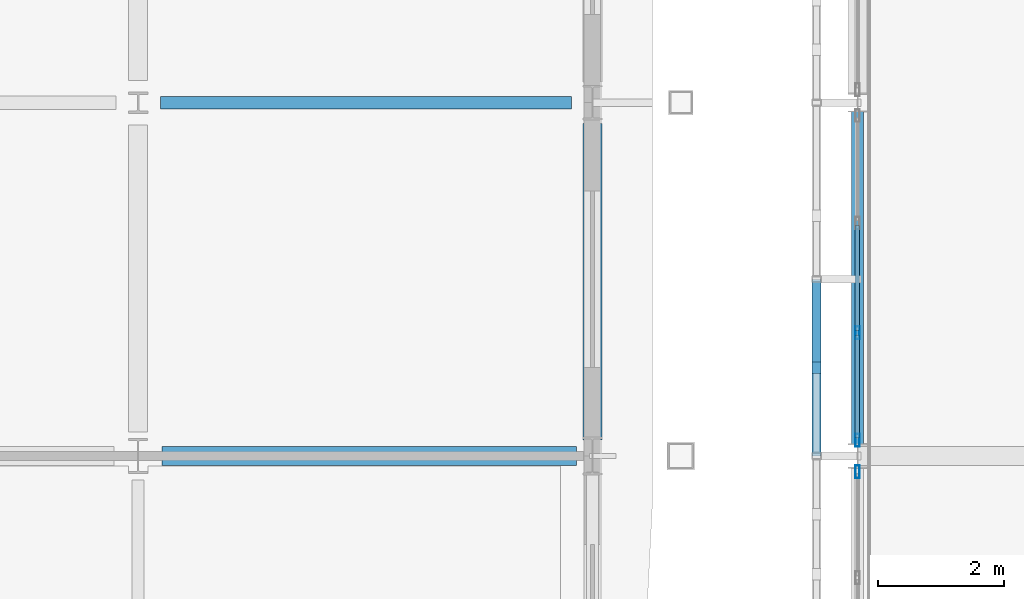
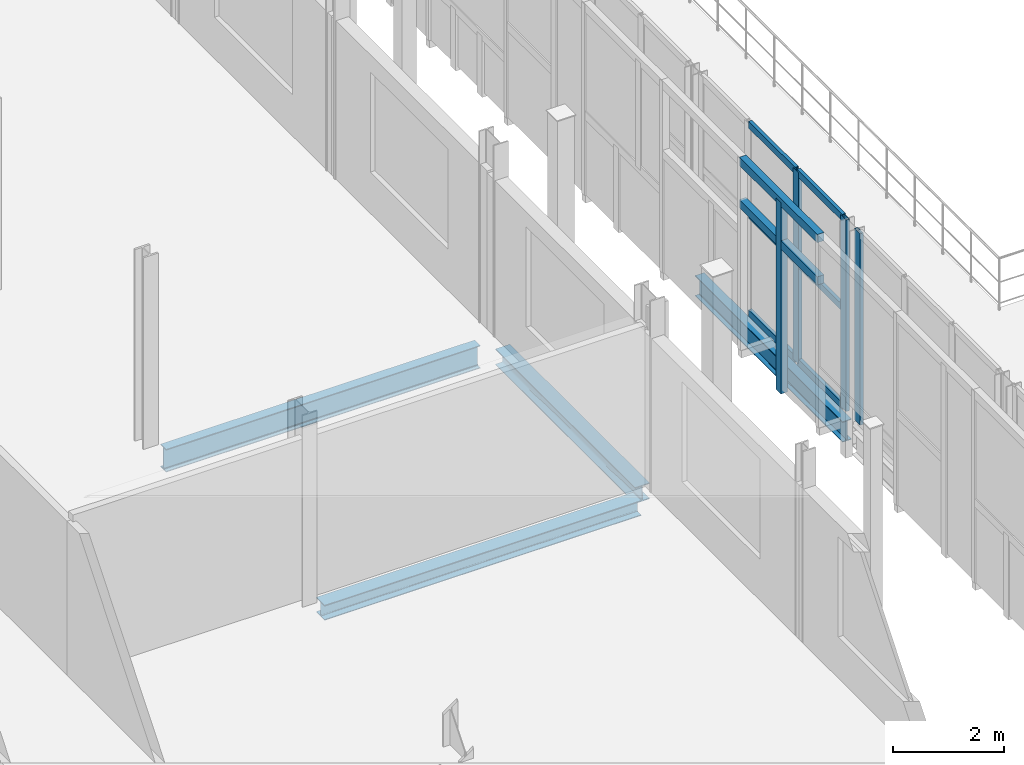
# One storey, part 36 of 138: 12 members, 4 beams, 2 elements without a shape of their own.
"""IFC4 building model written with IfcOpenShell, lengths in metres."""

from ifc_helpers import new_model, si_unit, direction, frame, origin, origin_2d, place, context, subcontext, project, spatial, rectangle, hollow_rectangle, i_section, extrude, material, layer, layer_set, material_profile, profile_set, type_object, element, aggregate, save


model = new_model("IFC4")

# Units and contexts
model_context = context("Model", 3, precision=1e-05, world=origin(), true_north=direction((0.0, 1.0)))
body_context = subcontext(model_context, "Body", "Model", "MODEL_VIEW")
ifc_project = project(units=[si_unit("LENGTHUNIT", "METRE"), si_unit("AREAUNIT", "SQUARE_METRE"), si_unit("VOLUMEUNIT", "CUBIC_METRE"), si_unit("PLANEANGLEUNIT", "RADIAN"), si_unit("MASSUNIT", "GRAM", prefix="KILO")], contexts=[model_context])

# Site, building, storey
site_placement = place(None, origin())
site = spatial("IfcSite", under=ifc_project, at=site_placement, CompositionType="ELEMENT")
building_placement = place(site_placement, origin())
building = spatial("IfcBuilding", under=site, at=building_placement, Name="Vinh Khe Railworks Police Headquarters", CompositionType="ELEMENT")
storey_placement = place(building_placement, frame((0.0, 0.0, 9.0)))
storey = spatial("IfcBuildingStorey", under=building, at=storey_placement, Name="L02", CompositionType="ELEMENT", Elevation=9.0)

# Members
ifc_material_1 = material(Name="Salvaged ironwood timber", Category="wood")
ifc_material_profile_1 = material_profile(ifc_material_1, rectangle(XDim=0.139892578125, YDim=0.179931640625, at=origin_2d()), Name="TIMBER 140x180")
ifc_profile_set_1 = profile_set([ifc_material_profile_1], Name="Salvaged ironwood timber")
member_type_1 = type_object("IfcMemberType", Name="MEM-QUILT-STILE", PredefinedType="CHORD", material=ifc_profile_set_1)
for number, where, z_axis, x_axis, name in (
    (1, (25.75, 42.0, 4.1201171875), (0.0, 1.0, 0.0), (-1.0, 0.0, 0.0), "Salvaged Timber Quilt Transom W-L02-06-TOP"),
    (2, (25.75, 42.0, 3.19189453125), (0.0, 1.0, 0.0), (-1.0, 0.0, 0.0), "Salvaged Timber Quilt Transom W-L02-06-M1"),
):
    element("IfcMember", number, at=place(storey_placement, frame(where, z_axis=z_axis, x_axis=x_axis)), inside=storey, type_object=member_type_1, Name=name, PredefinedType="CHORD", context=body_context, shape_type="SweptSolid", body=[
        extrude(rectangle(XDim=0.139892578125, YDim=0.179931640625, at=origin_2d()), origin(), (0.0, 0.0, 1.0), 2.800048828125),
    ])
member_1_placement = place(storey_placement, frame((25.75, 43.39990234375, -0.080078125), z_axis=(0.0, 0.0, 1.0), x_axis=(1.0, 0.0, 0.0)))
element("IfcMember", 3, at=member_1_placement, inside=storey, type_object=member_type_1, Name="Salvaged Timber Quilt Stile W-L02-06-V1", PredefinedType="POST", context=body_context, shape_type="SweptSolid", body=[
    extrude(rectangle(XDim=0.139892578125, YDim=0.179931640625, at=origin_2d()), origin(), (0.0, 0.0, 1.0), 4.2001953125),
])

# Curtain wall, member
ifc_material_2 = material(Name="Anodised aluminium and low-iron glass", Category="aluminium")
ifc_layer = layer(ifc_material_2, 0.179931640625)
ifc_layer_set = layer_set([ifc_layer], Name="Anodised aluminium and low-iron glass")
curtain_wall_type = type_object("IfcCurtainWallType", Name="CW-CUBE-UNIT", PredefinedType="USERDEFINED", material=ifc_layer_set)
curtain_wall_1_placement = place(storey_placement, origin())
curtain_wall_1 = element("IfcCurtainWall", 4, at=curtain_wall_1_placement, inside=storey, type_object=curtain_wall_type, Name="Entrance Hall Curtain Wall L02 W-3", ObjectType="UNITISED GLAZING", PredefinedType="USERDEFINED")
ifc_material_3 = material(Name="Anodised aluminium 6063-T6", Category="aluminium")
ifc_material_profile_2 = material_profile(ifc_material_3, hollow_rectangle(XDim=0.070068359375, YDim=0.199951171875, WallThickness=0.0048828125, at=origin_2d()), Name="CW-M 70x200x5")
ifc_profile_set_2 = profile_set([ifc_material_profile_2], Name="Anodised aluminium 6063-T6")
member_type_2 = type_object("IfcMemberType", Name="MULL-CWM-03", PredefinedType="MULLION", material=ifc_profile_set_2)
member_2_placement = place(storey_placement, frame((26.39990234375, 41.75, 0.0), z_axis=(0.0, 0.0, 1.0), x_axis=(-1.0, 0.0, 0.0)))
member_2 = element("IfcMember", 5, at=member_2_placement, type_object=member_type_2, Name="CW-01 mullion 4", PredefinedType="MULLION", context=body_context, shape_type="SweptSolid", body=[
    extrude(hollow_rectangle(XDim=0.070068359375, YDim=0.199951171875, WallThickness=0.0048828125, at=origin_2d()), origin(), (0.0, 0.0, 1.0), 4.199951171875),
])
aggregate(curtain_wall_1, [member_2])

# Curtain wall, members
curtain_wall_2_placement = place(storey_placement, origin())
curtain_wall_2 = element("IfcCurtainWall", 6, at=curtain_wall_2_placement, inside=storey, type_object=curtain_wall_type, Name="Entrance Hall Curtain Wall L02 W-4", ObjectType="UNITISED GLAZING", PredefinedType="USERDEFINED")
member_3_placement = place(storey_placement, frame((26.39990234375, 42.25, 0.0), z_axis=(0.0, 0.0, 1.0), x_axis=(-1.0, 0.0, 0.0)))
member_3 = element("IfcMember", 7, at=member_3_placement, type_object=member_type_2, Name="CW-01 mullion 1", PredefinedType="MULLION", context=body_context, shape_type="SweptSolid", body=[
    extrude(hollow_rectangle(XDim=0.070068359375, YDim=0.199951171875, WallThickness=0.0048828125, at=origin_2d()), origin(), (0.0, 0.0, 1.0), 4.199951171875),
])
member_4_placement = place(storey_placement, frame((26.39990234375, 43.953369140625, 0.0), z_axis=(0.0, 0.0, 1.0), x_axis=(-1.0, 0.0, 0.0)))
member_4 = element("IfcMember", 8, at=member_4_placement, type_object=member_type_2, Name="CW-01 mullion 2", PredefinedType="MULLION", context=body_context, shape_type="SweptSolid", body=[
    extrude(hollow_rectangle(XDim=0.070068359375, YDim=0.199951171875, WallThickness=0.0048828125, at=origin_2d()), origin(), (0.0, 0.0, 1.0), 4.199951171875),
])

# Beams
ifc_material_4 = material(Name="Steel S355JR", Category="steel")
ifc_material_profile_3 = material_profile(ifc_material_4, i_section(OverallWidth=0.300048828125, OverallDepth=0.330078125, WebThickness=0.009521484375, FlangeThickness=0.0166015625, FilletRadius=0.027099609375, at=origin_2d()), Name="HEA 340")
ifc_profile_set_3 = profile_set([ifc_material_profile_3], Name="Steel S355JR")
beam_type_1 = type_object("IfcBeamType", Name="Steel Girder HEA 340", PredefinedType="BEAM", material=ifc_profile_set_3)
beam_1_placement = place(storey_placement, frame((15.3798828125, 42.0, -0.385009765625), z_axis=(1.0, 0.0, 0.0), x_axis=(0.0, 1.0, 0.0)))
element("IfcBeam", 9, at=beam_1_placement, inside=storey, type_object=beam_type_1, Name="Girder BM-L02-EW-SB-16-0776", PredefinedType="BEAM", context=body_context, shape_type="SweptSolid", body=[
    extrude(i_section(OverallWidth=0.300048828125, OverallDepth=0.330078125, WebThickness=0.009521484375, FlangeThickness=0.0166015625, FilletRadius=0.027099609375, at=origin_2d()), origin(), (0.0, 0.0, 1.0), 6.565185546875),
])
ifc_material_profile_4 = material_profile(ifc_material_4, i_section(OverallWidth=0.300048828125, OverallDepth=0.35009765625, WebThickness=0.010009765625, FlangeThickness=0.017578125, FilletRadius=0.027099609375, at=origin_2d()), Name="HEA 360")
ifc_profile_set_4 = profile_set([ifc_material_profile_4], Name="Steel S355JR")
beam_type_2 = type_object("IfcBeamType", Name="Steel Girder HEA 360", PredefinedType="BEAM", material=ifc_profile_set_4)
beam_2_placement = place(storey_placement, frame((22.199951171875, 42.2548828125, -0.39501953125), z_axis=(0.0, 1.0, 0.0), x_axis=(-1.0, 0.0, 0.0)))
element("IfcBeam", 10, at=beam_2_placement, inside=storey, type_object=beam_type_2, Name="Girder BM-L02-NS-SB-15-0931", PredefinedType="BEAM", context=body_context, shape_type="SweptSolid", body=[
    extrude(i_section(OverallWidth=0.300048828125, OverallDepth=0.35009765625, WebThickness=0.010009765625, FlangeThickness=0.017578125, FilletRadius=0.027099609375, at=origin_2d()), origin(), (0.0, 0.0, 1.0), 5.01513671875),
])
ifc_material_profile_5 = material_profile(ifc_material_4, i_section(OverallWidth=0.18994140625, OverallDepth=0.449951171875, WebThickness=0.009521484375, FlangeThickness=0.0146484375, FilletRadius=0.02099609375, at=origin_2d()), Name="IPE 450")
ifc_profile_set_5 = profile_set([ifc_material_profile_5], Name="Steel S355JR")
beam_type_3 = type_object("IfcBeamType", Name="Steel Girder IPE 450", PredefinedType="BEAM", material=ifc_profile_set_5)
beam_3_placement = place(storey_placement, frame((26.39990234375, 42.175048828125, -0.445068359375), z_axis=(0.0, 1.0, 0.0), x_axis=(-1.0, 0.0, 0.0)))
element("IfcBeam", 11, at=beam_3_placement, inside=storey, type_object=beam_type_3, Name="Girder BM-L02-NS-SB-20-0948", PredefinedType="BEAM", context=body_context, shape_type="SweptSolid", body=[
    extrude(i_section(OverallWidth=0.18994140625, OverallDepth=0.449951171875, WebThickness=0.009521484375, FlangeThickness=0.0146484375, FilletRadius=0.02099609375, at=origin_2d()), origin(), (0.0, 0.0, 1.0), 5.294921875),
])
ifc_material_profile_6 = material_profile(ifc_material_4, i_section(OverallWidth=0.199951171875, OverallDepth=0.5, WebThickness=0.01025390625, FlangeThickness=0.01611328125, FilletRadius=0.02099609375, at=origin_2d()), Name="IPE 500")
ifc_profile_set_6 = profile_set([ifc_material_profile_6], Name="Steel S355JR")
beam_type_4 = type_object("IfcBeamType", Name="Steel Girder IPE 500", PredefinedType="BEAM", material=ifc_profile_set_6)
beam_4_placement = place(storey_placement, frame((15.35498046875, 47.60009765625, -0.469970703125), z_axis=(1.0, 0.0, 0.0), x_axis=(0.0, 1.0, 0.0)))
element("IfcBeam", 12, at=beam_4_placement, inside=storey, type_object=beam_type_4, Name="Girder BM-L02-EW-SB-19-0779", PredefinedType="BEAM", context=body_context, shape_type="SweptSolid", body=[
    extrude(i_section(OverallWidth=0.199951171875, OverallDepth=0.5, WebThickness=0.01025390625, FlangeThickness=0.01611328125, FilletRadius=0.02099609375, at=origin_2d()), origin(), (0.0, 0.0, 1.0), 6.51513671875),
])

# Member
ifc_material_profile_7 = material_profile(ifc_material_3, hollow_rectangle(XDim=0.070068359375, YDim=0.14990234375, WallThickness=0.0048828125, at=origin_2d()), Name="CW-T 70x150x5")
ifc_profile_set_7 = profile_set([ifc_material_profile_7], Name="Anodised aluminium 6063-T6")
member_type_3 = type_object("IfcMemberType", Name="TRAN-CWT-03", PredefinedType="USERDEFINED", material=ifc_profile_set_7)
member_5_placement = place(storey_placement, frame((26.39990234375, 42.284912109375, 0.034912109375), z_axis=(0.0, 1.0, 0.0), x_axis=(-1.0, 0.0, 0.0)))
member_5 = element("IfcMember", 13, at=member_5_placement, type_object=member_type_3, Name="CW-01 transom 1.1", ObjectType="TRANSOM", PredefinedType="USERDEFINED", context=body_context, shape_type="SweptSolid", body=[
    extrude(hollow_rectangle(XDim=0.070068359375, YDim=0.14990234375, WallThickness=0.0048828125, at=origin_2d()), origin(), (0.0, 0.0, 1.0), 1.63330078125),
])

member_6_placement = place(storey_placement, frame((26.39990234375, 42.284912109375, 2.18408203125), z_axis=(0.0, 1.0, 0.0), x_axis=(-1.0, 0.0, 0.0)))
member_6 = element("IfcMember", 14, at=member_6_placement, type_object=member_type_3, Name="CW-01 transom 1.2", ObjectType="TRANSOM", PredefinedType="USERDEFINED", context=body_context, shape_type="SweptSolid", body=[
    extrude(hollow_rectangle(XDim=0.070068359375, YDim=0.14990234375, WallThickness=0.0048828125, at=origin_2d()), origin(), (0.0, 0.0, 1.0), 1.63330078125),
])

member_7_placement = place(storey_placement, frame((26.39990234375, 42.284912109375, 4.1650390625), z_axis=(0.0, 1.0, 0.0), x_axis=(-1.0, 0.0, 0.0)))
member_7 = element("IfcMember", 15, at=member_7_placement, type_object=member_type_3, Name="CW-01 transom 1.3", ObjectType="TRANSOM", PredefinedType="USERDEFINED", context=body_context, shape_type="SweptSolid", body=[
    extrude(hollow_rectangle(XDim=0.070068359375, YDim=0.14990234375, WallThickness=0.0048828125, at=origin_2d()), origin(), (0.0, 0.0, 1.0), 1.63330078125),
])

member_8_placement = place(storey_placement, frame((26.39990234375, 43.98828125, 0.034912109375), z_axis=(0.0, 1.0, 0.0), x_axis=(-1.0, 0.0, 0.0)))
member_8 = element("IfcMember", 16, at=member_8_placement, type_object=member_type_3, Name="CW-01 transom 2.1", ObjectType="TRANSOM", PredefinedType="USERDEFINED", context=body_context, shape_type="SweptSolid", body=[
    extrude(hollow_rectangle(XDim=0.070068359375, YDim=0.14990234375, WallThickness=0.0048828125, at=origin_2d()), origin(), (0.0, 0.0, 1.0), 1.66845703125),
])

member_9_placement = place(storey_placement, frame((26.39990234375, 43.98828125, 2.18408203125), z_axis=(0.0, 1.0, 0.0), x_axis=(-1.0, 0.0, 0.0)))
member_9 = element("IfcMember", 17, at=member_9_placement, type_object=member_type_3, Name="CW-01 transom 2.2", ObjectType="TRANSOM", PredefinedType="USERDEFINED", context=body_context, shape_type="SweptSolid", body=[
    extrude(hollow_rectangle(XDim=0.070068359375, YDim=0.14990234375, WallThickness=0.0048828125, at=origin_2d()), origin(), (0.0, 0.0, 1.0), 1.66845703125),
])

member_10_placement = place(storey_placement, frame((26.39990234375, 43.98828125, 4.1650390625), z_axis=(0.0, 1.0, 0.0), x_axis=(-1.0, 0.0, 0.0)))
member_10 = element("IfcMember", 18, at=member_10_placement, type_object=member_type_3, Name="CW-01 transom 2.3", ObjectType="TRANSOM", PredefinedType="USERDEFINED", context=body_context, shape_type="SweptSolid", body=[
    extrude(hollow_rectangle(XDim=0.070068359375, YDim=0.14990234375, WallThickness=0.0048828125, at=origin_2d()), origin(), (0.0, 0.0, 1.0), 1.66845703125),
])

aggregate(curtain_wall_2, [member_3, member_4, member_5, member_6, member_7, member_8, member_9, member_10])

save(model, "model.ifc")
